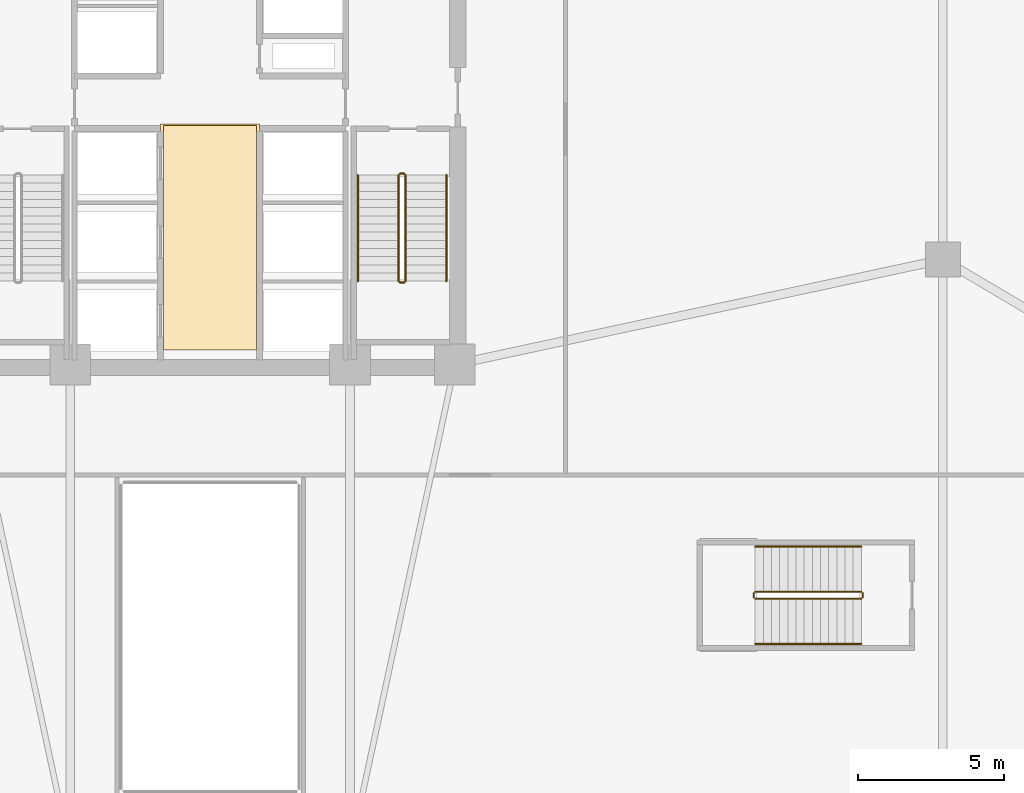
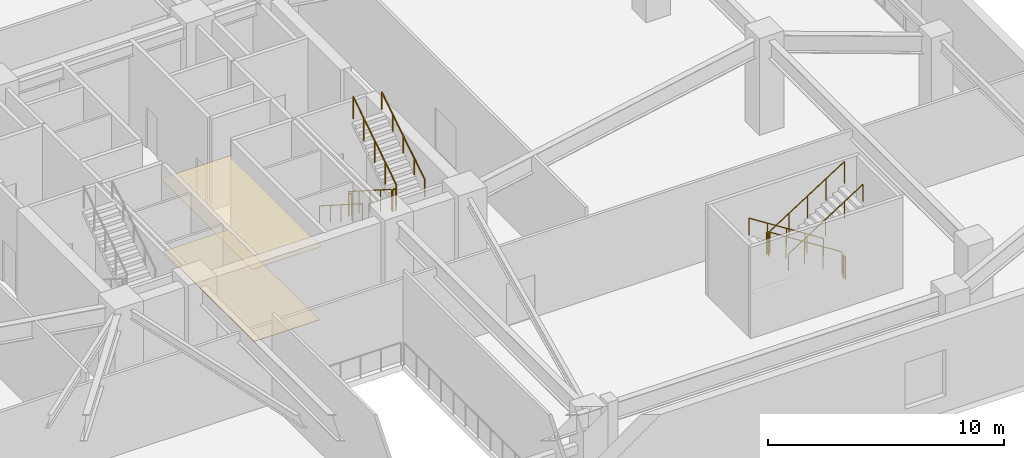
# One storey, part 17 of 20: 12 railings, 2 coverings.
"""IFC4 building model written with IfcOpenShell, lengths in metres."""

from ifc_helpers import new_model, si_unit, direction, frame, origin, origin_2d, place, context, subcontext, project, spatial, polyline, circle, outline, extrude, material, layer, layer_set, type_object, element, save


model = new_model("IFC4")

# Units and contexts
model_context = context("Model", 3, precision=1e-05, world=origin(), true_north=direction((0.0, 1.0)))
body_context = subcontext(model_context, "Body", "Model", "MODEL_VIEW")
ifc_project = project(units=[si_unit("LENGTHUNIT", "METRE"), si_unit("AREAUNIT", "SQUARE_METRE"), si_unit("VOLUMEUNIT", "CUBIC_METRE"), si_unit("PLANEANGLEUNIT", "RADIAN"), si_unit("MASSUNIT", "GRAM", prefix="KILO")], contexts=[model_context])

# Site, building, storey
site_placement = place(None, origin())
site = spatial("IfcSite", under=ifc_project, at=site_placement, CompositionType="ELEMENT")
building_placement = place(site_placement, origin())
building = spatial("IfcBuilding", under=site, at=building_placement, Name="Cairnveth Concourse Tower", CompositionType="ELEMENT")
storey_placement = place(building_placement, frame((0.0, 0.0, 5.0)))
storey = spatial("IfcBuildingStorey", under=building, at=storey_placement, Name="L01", CompositionType="ELEMENT", Elevation=5.0)

# Covering
ifc_material_1 = material(Name="Acoustic Mineral Fibre Ceiling", Category="gypsum")
ifc_layer_1 = layer(ifc_material_1, 0.02490234375)
ifc_layer_set_1 = layer_set([ifc_layer_1], Name="Acoustic Mineral Fibre Ceiling")
covering_type_1 = type_object("IfcCoveringType", Name="ACOUSTIC MINERAL FIBRE CEILING 25", PredefinedType="CEILING", material=ifc_layer_set_1)
covering_1_placement = place(storey_placement, frame((0.0, 0.0, 3.756103515625)))
element("IfcCovering", 1, at=covering_1_placement, inside=storey, type_object=covering_type_1, Name="Lift Lobby Acoustic Ceiling L01", PredefinedType="CEILING", context=body_context, shape_type="SweptSolid", body=[
    extrude(outline(polyline([(50.300048828125, 31.10009765625), (53.699951171875, 31.10009765625), (53.699951171875, 38.85009765625), (50.300048828125, 38.85009765625), (50.300048828125, 31.10009765625)])), origin(), (0.0, 0.0, 1.0), 0.02490234375),
])

# Railings
ifc_material_2 = material(Name="Steel Grade 350", Category="steel")
railing_type_1 = type_object("IfcRailingType", Name="STAIR GUARDRAIL 1150", PredefinedType="GUARDRAIL", material=ifc_material_2)
railing_1_placement = place(storey_placement, frame((58.469970703125, 37.10009765625, 0.178466796875)))
element("IfcRailing", 2, at=railing_1_placement, inside=storey, type_object=railing_type_1, Name="L01 ST-2 stair guard 1", PredefinedType="GUARDRAIL", context=body_context, shape_type="SweptSolid", body=[
    extrude(circle(Radius=0.02392578125, at=origin_2d()), frame((0.0, 0.0, 1.1259765625), z_axis=(0.0, -0.843127859045, 0.537713132908), x_axis=(1.0, 0.0, 0.0)), (0.0, 0.0, 1.0), 4.3173828125),
    extrude(circle(Radius=0.02099609375, at=origin_2d()), origin(), (0.0, 0.0, 1.0), 1.101806640625),
    extrude(circle(Radius=0.02099609375, at=origin_2d()), frame((0.0, -0.91015625, 0.580322265625)), (0.0, 0.0, 1.0), 1.101806640625),
    extrude(circle(Radius=0.02099609375, at=origin_2d()), frame((0.0, -1.820068359375, 1.16064453125)), (0.0, 0.0, 1.0), 1.101806640625),
    extrude(circle(Radius=0.02099609375, at=origin_2d()), frame((0.0, -2.72998046875, 1.7412109375)), (0.0, 0.0, 1.0), 1.101806640625),
    extrude(circle(Radius=0.02099609375, at=origin_2d()), frame((0.0, -3.64013671875, 2.321533203125)), (0.0, 0.0, 1.0), 1.101806640625),
])
railing_2_placement = place(storey_placement, frame((58.52001953125, 33.409912109375, 2.5)))
element("IfcRailing", 3, at=railing_2_placement, inside=storey, type_object=railing_type_1, Name="L01 ST-2 stair guard 2", PredefinedType="GUARDRAIL", context=body_context, shape_type="SweptSolid", body=[
    extrude(circle(Radius=0.02392578125, at=origin_2d()), frame((0.0, 0.0, 1.1259765625), z_axis=(1.0, 0.0, 0.0), x_axis=(0.0, 1.0, 0.0)), (0.0, 0.0, 1.0), 0.139892578125),
    extrude(circle(Radius=0.02099609375, at=origin_2d()), origin(), (0.0, 0.0, 1.0), 1.101806640625),
    extrude(circle(Radius=0.02099609375, at=origin_2d()), frame((0.139892578125, 0.0, 0.0)), (0.0, 0.0, 1.0), 1.101806640625),
])
railing_3_placement = place(storey_placement, frame((58.7099609375, 33.4599609375, 2.678466796875)))
element("IfcRailing", 4, at=railing_3_placement, inside=storey, type_object=railing_type_1, Name="L01 ST-2 stair guard 3", PredefinedType="GUARDRAIL", context=body_context, shape_type="SweptSolid", body=[
    extrude(circle(Radius=0.02392578125, at=origin_2d()), frame((0.0, 0.0, 1.1259765625), z_axis=(0.0, 0.843127859045, 0.537713132908), x_axis=(-1.0, 0.0, 0.0)), (0.0, 0.0, 1.0), 4.3173828125),
    extrude(circle(Radius=0.02099609375, at=origin_2d()), origin(), (0.0, 0.0, 1.0), 1.101806640625),
    extrude(circle(Radius=0.02099609375, at=origin_2d()), frame((0.0, 0.91015625, 0.580322265625)), (0.0, 0.0, 1.0), 1.101806640625),
    extrude(circle(Radius=0.02099609375, at=origin_2d()), frame((0.0, 1.820068359375, 1.16064453125)), (0.0, 0.0, 1.0), 1.101806640625),
    extrude(circle(Radius=0.02099609375, at=origin_2d()), frame((0.0, 2.72998046875, 1.7412109375)), (0.0, 0.0, 1.0), 1.101806640625),
    extrude(circle(Radius=0.02099609375, at=origin_2d()), frame((0.0, 3.64013671875, 2.321533203125)), (0.0, 0.0, 1.0), 1.101806640625),
])
railing_4_placement = place(storey_placement, frame((58.52001953125, 37.14990234375, 0.0)))
element("IfcRailing", 5, at=railing_4_placement, inside=storey, type_object=railing_type_1, Name="L01 ST-2 stair guard 4", PredefinedType="GUARDRAIL", context=body_context, shape_type="SweptSolid", body=[
    extrude(circle(Radius=0.02392578125, at=origin_2d()), frame((0.0, 0.0, 1.1259765625), z_axis=(1.0, 0.0, 0.0), x_axis=(0.0, 1.0, 0.0)), (0.0, 0.0, 1.0), 0.139892578125),
    extrude(circle(Radius=0.02099609375, at=origin_2d()), origin(), (0.0, 0.0, 1.0), 1.101806640625),
    extrude(circle(Radius=0.02099609375, at=origin_2d()), frame((0.139892578125, 0.0, 0.0)), (0.0, 0.0, 1.0), 1.101806640625),
])
railing_5_placement = place(storey_placement, frame((74.35009765625, 22.800048828125, 0.178466796875)))
element("IfcRailing", 6, at=railing_5_placement, inside=storey, type_object=railing_type_1, Name="L01 ST-P2 stair guard 1", PredefinedType="GUARDRAIL", context=body_context, shape_type="SweptSolid", body=[
    extrude(circle(Radius=0.02392578125, at=origin_2d()), frame((0.0, 0.0, 1.1259765625), z_axis=(-0.843127859045, 0.0, 0.537713132908), x_axis=(0.0, -1.0, 0.0)), (0.0, 0.0, 1.0), 4.3173828125),
    extrude(circle(Radius=0.02099609375, at=origin_2d()), origin(), (0.0, 0.0, 1.0), 1.101806640625),
    extrude(circle(Radius=0.02099609375, at=origin_2d()), frame((-0.91015625, 0.0, 0.580322265625)), (0.0, 0.0, 1.0), 1.101806640625),
    extrude(circle(Radius=0.02099609375, at=origin_2d()), frame((-1.820068359375, 0.0, 1.16064453125)), (0.0, 0.0, 1.0), 1.101806640625),
    extrude(circle(Radius=0.02099609375, at=origin_2d()), frame((-2.72998046875, 0.0, 1.7412109375)), (0.0, 0.0, 1.0), 1.101806640625),
    extrude(circle(Radius=0.02099609375, at=origin_2d()), frame((-3.64013671875, 0.0, 2.321533203125)), (0.0, 0.0, 1.0), 1.101806640625),
])
railing_6_placement = place(storey_placement, frame((70.659912109375, 22.75, 2.5)))
element("IfcRailing", 7, at=railing_6_placement, inside=storey, type_object=railing_type_1, Name="L01 ST-P2 stair guard 2", PredefinedType="GUARDRAIL", context=body_context, shape_type="SweptSolid", body=[
    extrude(circle(Radius=0.02392578125, at=origin_2d()), frame((0.0, 0.0, 1.1259765625), z_axis=(0.0, -1.0, 0.0), x_axis=(1.0, 0.0, 0.0)), (0.0, 0.0, 1.0), 0.139892578125),
    extrude(circle(Radius=0.02099609375, at=origin_2d()), origin(), (0.0, 0.0, 1.0), 1.101806640625),
    extrude(circle(Radius=0.02099609375, at=origin_2d()), frame((0.0, -0.139892578125, 0.0)), (0.0, 0.0, 1.0), 1.101806640625),
])
railing_7_placement = place(storey_placement, frame((70.7099609375, 22.56005859375, 2.678466796875)))
element("IfcRailing", 8, at=railing_7_placement, inside=storey, type_object=railing_type_1, Name="L01 ST-P2 stair guard 3", PredefinedType="GUARDRAIL", context=body_context, shape_type="SweptSolid", body=[
    extrude(circle(Radius=0.02392578125, at=origin_2d()), frame((0.0, 0.0, 1.1259765625), z_axis=(0.843127859045, 0.0, 0.537713132908), x_axis=(0.0, 1.0, 0.0)), (0.0, 0.0, 1.0), 4.3173828125),
    extrude(circle(Radius=0.02099609375, at=origin_2d()), origin(), (0.0, 0.0, 1.0), 1.101806640625),
    extrude(circle(Radius=0.02099609375, at=origin_2d()), frame((0.91015625, 0.0, 0.580322265625)), (0.0, 0.0, 1.0), 1.101806640625),
    extrude(circle(Radius=0.02099609375, at=origin_2d()), frame((1.820068359375, 0.0, 1.16064453125)), (0.0, 0.0, 1.0), 1.101806640625),
    extrude(circle(Radius=0.02099609375, at=origin_2d()), frame((2.72998046875, 0.0, 1.7412109375)), (0.0, 0.0, 1.0), 1.101806640625),
    extrude(circle(Radius=0.02099609375, at=origin_2d()), frame((3.64013671875, 0.0, 2.321533203125)), (0.0, 0.0, 1.0), 1.101806640625),
])
railing_8_placement = place(storey_placement, frame((74.39990234375, 22.75, 0.0)))
element("IfcRailing", 9, at=railing_8_placement, inside=storey, type_object=railing_type_1, Name="L01 ST-P2 stair guard 4", PredefinedType="GUARDRAIL", context=body_context, shape_type="SweptSolid", body=[
    extrude(circle(Radius=0.02392578125, at=origin_2d()), frame((0.0, 0.0, 1.1259765625), z_axis=(0.0, -1.0, 0.0), x_axis=(1.0, 0.0, 0.0)), (0.0, 0.0, 1.0), 0.139892578125),
    extrude(circle(Radius=0.02099609375, at=origin_2d()), origin(), (0.0, 0.0, 1.0), 1.101806640625),
    extrude(circle(Radius=0.02099609375, at=origin_2d()), frame((0.0, -0.139892578125, 0.0)), (0.0, 0.0, 1.0), 1.101806640625),
])
railing_type_2 = type_object("IfcRailingType", Name="STAIR WALL HANDRAIL 900", PredefinedType="HANDRAIL", material=ifc_material_2)
railing_9_placement = place(storey_placement, frame((57.070068359375, 37.10009765625, 0.178466796875)))
element("IfcRailing", 10, at=railing_9_placement, inside=storey, type_object=railing_type_2, Name="L01 ST-2 stair handrail 1", PredefinedType="HANDRAIL", context=body_context, shape_type="SweptSolid", body=[
    extrude(circle(Radius=0.02392578125, at=origin_2d()), frame((0.0, 0.0, 0.8759765625), z_axis=(0.0, -0.843127859045, 0.537713132908), x_axis=(1.0, 0.0, 0.0)), (0.0, 0.0, 1.0), 4.3173828125),
    extrude(circle(Radius=0.02099609375, at=origin_2d()), origin(), (0.0, 0.0, 1.0), 0.851806640625),
    extrude(circle(Radius=0.02099609375, at=origin_2d()), frame((0.0, -0.91015625, 0.580322265625)), (0.0, 0.0, 1.0), 0.851806640625),
    extrude(circle(Radius=0.02099609375, at=origin_2d()), frame((0.0, -1.820068359375, 1.16064453125)), (0.0, 0.0, 1.0), 0.851806640625),
    extrude(circle(Radius=0.02099609375, at=origin_2d()), frame((0.0, -2.72998046875, 1.7412109375)), (0.0, 0.0, 1.0), 0.851806640625),
    extrude(circle(Radius=0.02099609375, at=origin_2d()), frame((0.0, -3.64013671875, 2.321533203125)), (0.0, 0.0, 1.0), 0.851806640625),
])
railing_10_placement = place(storey_placement, frame((60.110107421875, 33.4599609375, 2.678466796875)))
element("IfcRailing", 11, at=railing_10_placement, inside=storey, type_object=railing_type_2, Name="L01 ST-2 stair handrail 2", PredefinedType="HANDRAIL", context=body_context, shape_type="SweptSolid", body=[
    extrude(circle(Radius=0.02392578125, at=origin_2d()), frame((0.0, 0.0, 0.8759765625), z_axis=(0.0, 0.843127859045, 0.537713132908), x_axis=(-1.0, 0.0, 0.0)), (0.0, 0.0, 1.0), 4.3173828125),
    extrude(circle(Radius=0.02099609375, at=origin_2d()), origin(), (0.0, 0.0, 1.0), 0.851806640625),
    extrude(circle(Radius=0.02099609375, at=origin_2d()), frame((0.0, 0.91015625, 0.580322265625)), (0.0, 0.0, 1.0), 0.851806640625),
    extrude(circle(Radius=0.02099609375, at=origin_2d()), frame((0.0, 1.820068359375, 1.16064453125)), (0.0, 0.0, 1.0), 0.851806640625),
    extrude(circle(Radius=0.02099609375, at=origin_2d()), frame((0.0, 2.72998046875, 1.7412109375)), (0.0, 0.0, 1.0), 0.851806640625),
    extrude(circle(Radius=0.02099609375, at=origin_2d()), frame((0.0, 3.64013671875, 2.321533203125)), (0.0, 0.0, 1.0), 0.851806640625),
])
railing_11_placement = place(storey_placement, frame((74.35009765625, 24.35009765625, 0.178466796875)))
element("IfcRailing", 12, at=railing_11_placement, inside=storey, type_object=railing_type_2, Name="L01 ST-P2 stair handrail 1", PredefinedType="HANDRAIL", context=body_context, shape_type="SweptSolid", body=[
    extrude(circle(Radius=0.02392578125, at=origin_2d()), frame((0.0, 0.0, 0.8759765625), z_axis=(-0.843127859045, 0.0, 0.537713132908), x_axis=(0.0, -1.0, 0.0)), (0.0, 0.0, 1.0), 4.3173828125),
    extrude(circle(Radius=0.02099609375, at=origin_2d()), origin(), (0.0, 0.0, 1.0), 0.851806640625),
    extrude(circle(Radius=0.02099609375, at=origin_2d()), frame((-0.91015625, 0.0, 0.580322265625)), (0.0, 0.0, 1.0), 0.851806640625),
    extrude(circle(Radius=0.02099609375, at=origin_2d()), frame((-1.820068359375, 0.0, 1.16064453125)), (0.0, 0.0, 1.0), 0.851806640625),
    extrude(circle(Radius=0.02099609375, at=origin_2d()), frame((-2.72998046875, 0.0, 1.7412109375)), (0.0, 0.0, 1.0), 0.851806640625),
    extrude(circle(Radius=0.02099609375, at=origin_2d()), frame((-3.64013671875, 0.0, 2.321533203125)), (0.0, 0.0, 1.0), 0.851806640625),
])
railing_12_placement = place(storey_placement, frame((70.7099609375, 21.010009765625, 2.678466796875)))
element("IfcRailing", 13, at=railing_12_placement, inside=storey, type_object=railing_type_2, Name="L01 ST-P2 stair handrail 2", PredefinedType="HANDRAIL", context=body_context, shape_type="SweptSolid", body=[
    extrude(circle(Radius=0.02392578125, at=origin_2d()), frame((0.0, 0.0, 0.8759765625), z_axis=(0.843127859045, 0.0, 0.537713132908), x_axis=(0.0, 1.0, 0.0)), (0.0, 0.0, 1.0), 4.3173828125),
    extrude(circle(Radius=0.02099609375, at=origin_2d()), origin(), (0.0, 0.0, 1.0), 0.851806640625),
    extrude(circle(Radius=0.02099609375, at=origin_2d()), frame((0.91015625, 0.0, 0.580322265625)), (0.0, 0.0, 1.0), 0.851806640625),
    extrude(circle(Radius=0.02099609375, at=origin_2d()), frame((1.820068359375, 0.0, 1.16064453125)), (0.0, 0.0, 1.0), 0.851806640625),
    extrude(circle(Radius=0.02099609375, at=origin_2d()), frame((2.72998046875, 0.0, 1.7412109375)), (0.0, 0.0, 1.0), 0.851806640625),
    extrude(circle(Radius=0.02099609375, at=origin_2d()), frame((3.64013671875, 0.0, 2.321533203125)), (0.0, 0.0, 1.0), 0.851806640625),
])

# Covering
ifc_material_3 = material(Name="Vitrified Stoneware Tile Flooring", Category="masonry")
ifc_layer_2 = layer(ifc_material_3, 0.02001953125)
ifc_layer_set_2 = layer_set([ifc_layer_2], Name="Vitrified Stoneware Tile Flooring")
covering_type_2 = type_object("IfcCoveringType", Name="VITRIFIED STONEWARE LOBBY FLOORING 20", PredefinedType="FLOORING", material=ifc_layer_set_2)
covering_2_placement = place(storey_placement, origin())
element("IfcCovering", 14, at=covering_2_placement, inside=storey, type_object=covering_type_2, Name="Lift Lobby Stoneware Flooring L01", PredefinedType="FLOORING", context=body_context, shape_type="SweptSolid", body=[
    extrude(outline(polyline([(50.39990234375, 31.10009765625), (53.60009765625, 31.10009765625), (53.60009765625, 38.800048828125), (50.39990234375, 38.800048828125), (50.39990234375, 31.10009765625)])), origin(), (0.0, 0.0, 1.0), 0.02001953125),
])

save(model, "model.ifc")
